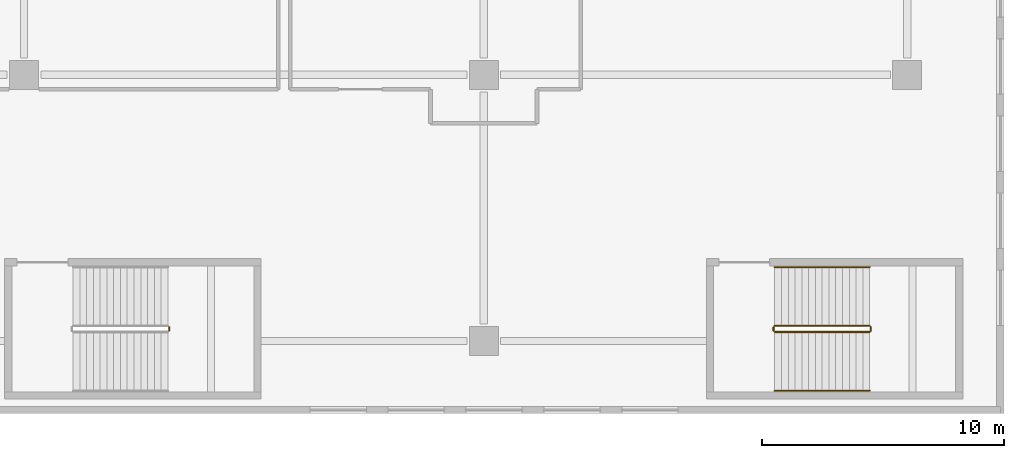
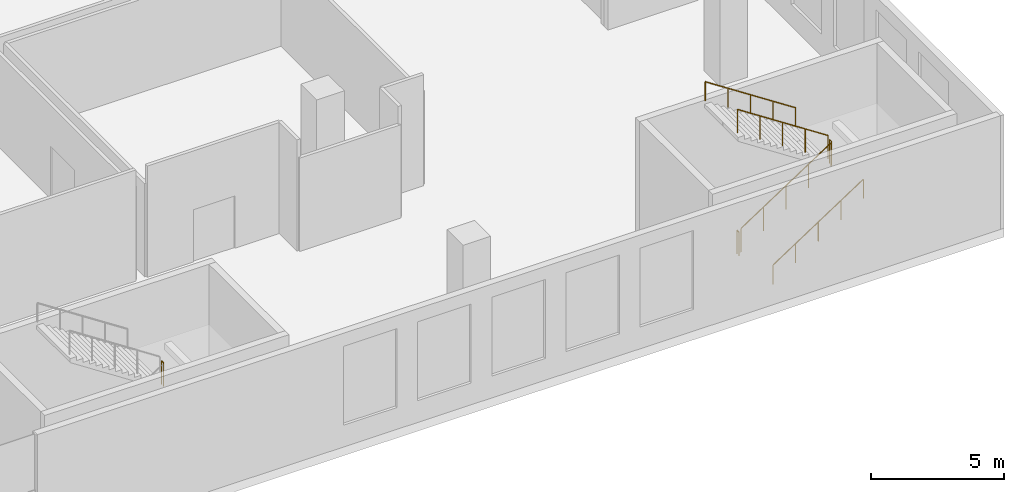
# One storey, part 22 of 26: 7 railings.
"""IFC4 building model written with IfcOpenShell, lengths in metres."""

from ifc_helpers import new_model, si_unit, direction, frame, origin, origin_2d, place, context, subcontext, project, spatial, circle, extrude, material, type_object, element, save


model = new_model("IFC4")

# Units and contexts
model_context = context("Model", 3, precision=1e-05, world=origin(), true_north=direction((0.0, 1.0)))
body_context = subcontext(model_context, "Body", "Model", "MODEL_VIEW")
ifc_project = project(units=[si_unit("LENGTHUNIT", "METRE"), si_unit("AREAUNIT", "SQUARE_METRE"), si_unit("VOLUMEUNIT", "CUBIC_METRE"), si_unit("PLANEANGLEUNIT", "RADIAN"), si_unit("MASSUNIT", "GRAM", prefix="KILO")], contexts=[model_context])

# Site, building, storey
site_placement = place(None, origin())
site = spatial("IfcSite", under=ifc_project, at=site_placement, CompositionType="ELEMENT")
building_placement = place(site_placement, origin())
building = spatial("IfcBuilding", under=site, at=building_placement, Name="Tel Ilan Convention Tower", CompositionType="ELEMENT")
storey_placement = place(building_placement, frame((0.0, 0.0, 32.0)))
storey = spatial("IfcBuildingStorey", under=building, at=storey_placement, Name="L04", CompositionType="ELEMENT", Elevation=32.0)

# Railings
ifc_material_1 = material(Name="Stainless Steel Grade 316", Category="steel")
railing_type_1 = type_object("IfcRailingType", Name="Stainless Steel Stair Guard 1100 mm", PredefinedType="GUARDRAIL", material=ifc_material_1)
railing_1_placement = place(storey_placement, frame((15.4951171875, -78.574951171875, 2.75)))
element("IfcRailing", 1, at=railing_1_placement, inside=storey, type_object=railing_type_1, Name="L04 P3 stair guard 2", PredefinedType="GUARDRAIL", context=body_context, shape_type="SweptSolid", body=[
    extrude(circle(Radius=0.02392578125, at=origin_2d()), frame((0.0, 0.0, 1.076171875), z_axis=(0.0, 1.0, 0.0), x_axis=(-1.0, 0.0, 0.0)), (0.0, 0.0, 1.0), 0.14990234375),
    extrude(circle(Radius=0.02099609375, at=origin_2d()), origin(), (0.0, 0.0, 1.0), 1.052001953125),
    extrude(circle(Radius=0.02099609375, at=origin_2d()), frame((0.0, 0.14990234375, 0.0)), (0.0, 0.0, 1.0), 1.052001953125),
])
railing_2_placement = place(storey_placement, frame((40.52490234375, -78.625, 0.183349609375)))
element("IfcRailing", 2, at=railing_2_placement, inside=storey, type_object=railing_type_1, Name="L04 P4 stair guard 1", PredefinedType="GUARDRAIL", context=body_context, shape_type="SweptSolid", body=[
    extrude(circle(Radius=0.02392578125, at=origin_2d()), frame((0.0, 0.0, 1.076171875), z_axis=(0.836630751959, 0.0, 0.54776727255), x_axis=(0.0, 1.0, 0.0)), (0.0, 0.0, 1.0), 4.685546875),
    extrude(circle(Radius=0.02099609375, at=origin_2d()), origin(), (0.0, 0.0, 1.0), 1.052001953125),
    extrude(circle(Radius=0.02099609375, at=origin_2d()), frame((0.97998046875, 0.0, 0.6416015625)), (0.0, 0.0, 1.0), 1.052001953125),
    extrude(circle(Radius=0.02099609375, at=origin_2d()), frame((1.9599609375, 0.0, 1.283203125)), (0.0, 0.0, 1.0), 1.052001953125),
    extrude(circle(Radius=0.02099609375, at=origin_2d()), frame((2.940185546875, 0.0, 1.925048828125)), (0.0, 0.0, 1.0), 1.052001953125),
    extrude(circle(Radius=0.02099609375, at=origin_2d()), frame((3.920166015625, 0.0, 2.566650390625)), (0.0, 0.0, 1.0), 1.052001953125),
])
railing_3_placement = place(storey_placement, frame((44.4951171875, -78.574951171875, 2.75)))
element("IfcRailing", 3, at=railing_3_placement, inside=storey, type_object=railing_type_1, Name="L04 P4 stair guard 2", PredefinedType="GUARDRAIL", context=body_context, shape_type="SweptSolid", body=[
    extrude(circle(Radius=0.02392578125, at=origin_2d()), frame((0.0, 0.0, 1.076171875), z_axis=(0.0, 1.0, 0.0), x_axis=(-1.0, 0.0, 0.0)), (0.0, 0.0, 1.0), 0.14990234375),
    extrude(circle(Radius=0.02099609375, at=origin_2d()), origin(), (0.0, 0.0, 1.0), 1.052001953125),
    extrude(circle(Radius=0.02099609375, at=origin_2d()), frame((0.0, 0.14990234375, 0.0)), (0.0, 0.0, 1.0), 1.052001953125),
])
railing_4_placement = place(storey_placement, frame((44.445068359375, -78.375, 2.933349609375)))
element("IfcRailing", 4, at=railing_4_placement, inside=storey, type_object=railing_type_1, Name="L04 P4 stair guard 3", PredefinedType="GUARDRAIL", context=body_context, shape_type="SweptSolid", body=[
    extrude(circle(Radius=0.02392578125, at=origin_2d()), frame((0.0, 0.0, 1.076171875), z_axis=(-0.836630751959, 0.0, 0.54776727255), x_axis=(0.0, -1.0, 0.0)), (0.0, 0.0, 1.0), 4.685546875),
    extrude(circle(Radius=0.02099609375, at=origin_2d()), origin(), (0.0, 0.0, 1.0), 1.052001953125),
    extrude(circle(Radius=0.02099609375, at=origin_2d()), frame((-0.97998046875, 0.0, 0.6416015625)), (0.0, 0.0, 1.0), 1.052001953125),
    extrude(circle(Radius=0.02099609375, at=origin_2d()), frame((-1.9599609375, 0.0, 1.283203125)), (0.0, 0.0, 1.0), 1.052001953125),
    extrude(circle(Radius=0.02099609375, at=origin_2d()), frame((-2.940185546875, 0.0, 1.925048828125)), (0.0, 0.0, 1.0), 1.052001953125),
    extrude(circle(Radius=0.02099609375, at=origin_2d()), frame((-3.920166015625, 0.0, 2.566650390625)), (0.0, 0.0, 1.0), 1.052001953125),
])
railing_5_placement = place(storey_placement, frame((40.47509765625, -78.574951171875, 0.0)))
element("IfcRailing", 5, at=railing_5_placement, inside=storey, type_object=railing_type_1, Name="L04 P4 stair guard 4", PredefinedType="GUARDRAIL", context=body_context, shape_type="SweptSolid", body=[
    extrude(circle(Radius=0.02392578125, at=origin_2d()), frame((0.0, 0.0, 1.076171875), z_axis=(0.0, 1.0, 0.0), x_axis=(-1.0, 0.0, 0.0)), (0.0, 0.0, 1.0), 0.14990234375),
    extrude(circle(Radius=0.02099609375, at=origin_2d()), origin(), (0.0, 0.0, 1.0), 1.052001953125),
    extrude(circle(Radius=0.02099609375, at=origin_2d()), frame((0.0, 0.14990234375, 0.0)), (0.0, 0.0, 1.0), 1.052001953125),
])
ifc_material_2 = material(Name="Stainless Steel Grade 316", Category="steel")
railing_type_2 = type_object("IfcRailingType", Name="Stainless Steel Stair Handrail 900 mm", PredefinedType="HANDRAIL", material=ifc_material_2)
railing_6_placement = place(storey_placement, frame((40.52490234375, -81.050048828125, 0.183349609375)))
element("IfcRailing", 6, at=railing_6_placement, inside=storey, type_object=railing_type_2, Name="L04 P4 stair handrail 1", PredefinedType="HANDRAIL", context=body_context, shape_type="SweptSolid", body=[
    extrude(circle(Radius=0.02392578125, at=origin_2d()), frame((0.0, 0.0, 0.8759765625), z_axis=(0.836630751959, 0.0, 0.54776727255), x_axis=(0.0, 1.0, 0.0)), (0.0, 0.0, 1.0), 4.685546875),
    extrude(circle(Radius=0.02099609375, at=origin_2d()), origin(), (0.0, 0.0, 1.0), 0.851806640625),
    extrude(circle(Radius=0.02099609375, at=origin_2d()), frame((0.97998046875, 0.0, 0.6416015625)), (0.0, 0.0, 1.0), 0.851806640625),
    extrude(circle(Radius=0.02099609375, at=origin_2d()), frame((1.9599609375, 0.0, 1.283203125)), (0.0, 0.0, 1.0), 0.851806640625),
    extrude(circle(Radius=0.02099609375, at=origin_2d()), frame((2.940185546875, 0.0, 1.925048828125)), (0.0, 0.0, 1.0), 0.851806640625),
    extrude(circle(Radius=0.02099609375, at=origin_2d()), frame((3.920166015625, 0.0, 2.566650390625)), (0.0, 0.0, 1.0), 0.851806640625),
])
railing_7_placement = place(storey_placement, frame((44.445068359375, -75.949951171875, 2.933349609375)))
element("IfcRailing", 7, at=railing_7_placement, inside=storey, type_object=railing_type_2, Name="L04 P4 stair handrail 2", PredefinedType="HANDRAIL", context=body_context, shape_type="SweptSolid", body=[
    extrude(circle(Radius=0.02392578125, at=origin_2d()), frame((0.0, 0.0, 0.8759765625), z_axis=(-0.836630751959, 0.0, 0.54776727255), x_axis=(0.0, -1.0, 0.0)), (0.0, 0.0, 1.0), 4.685546875),
    extrude(circle(Radius=0.02099609375, at=origin_2d()), origin(), (0.0, 0.0, 1.0), 0.851806640625),
    extrude(circle(Radius=0.02099609375, at=origin_2d()), frame((-0.97998046875, 0.0, 0.6416015625)), (0.0, 0.0, 1.0), 0.851806640625),
    extrude(circle(Radius=0.02099609375, at=origin_2d()), frame((-1.9599609375, 0.0, 1.283203125)), (0.0, 0.0, 1.0), 0.851806640625),
    extrude(circle(Radius=0.02099609375, at=origin_2d()), frame((-2.940185546875, 0.0, 1.925048828125)), (0.0, 0.0, 1.0), 0.851806640625),
    extrude(circle(Radius=0.02099609375, at=origin_2d()), frame((-3.920166015625, 0.0, 2.566650390625)), (0.0, 0.0, 1.0), 0.851806640625),
])

save(model, "model.ifc")
